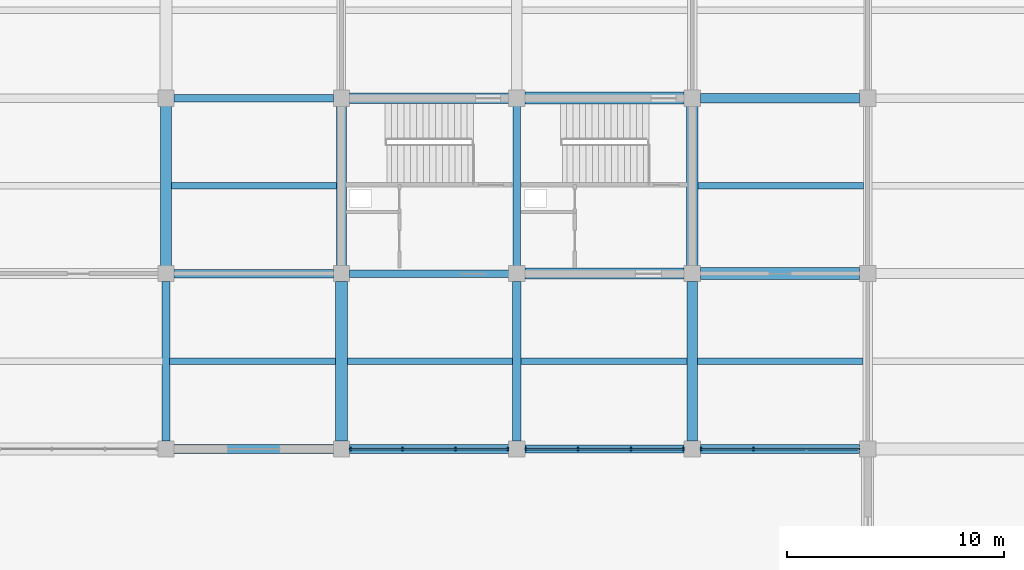
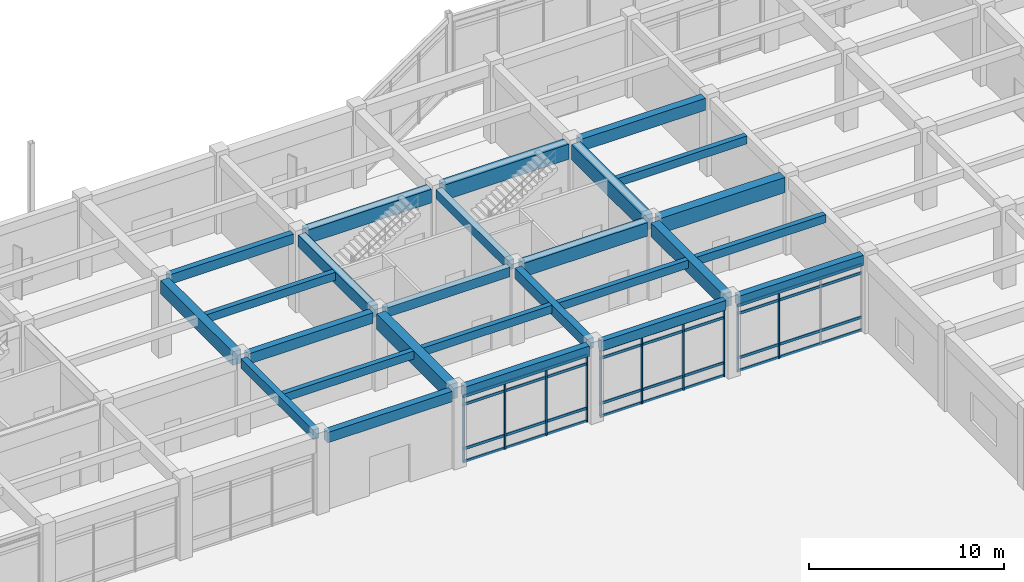
# One storey, part 36 of 99: 26 beams, 22 members, 3 elements without a shape of their own.
"""IFC4 building model written with IfcOpenShell, lengths in metres."""

import ifcopenshell
import ifcopenshell.guid

model = None  # the IFC model being written
_history = None  # IfcOwnerHistory: only IFC2X3 demands one
_inside = {}  # id of a spatial element -> (the spatial element, [elements in it])
_under = {}  # id of a project, library or spatial element -> (it, [spatial elements below it])
_declared = {}  # id of a project -> (the project, [libraries it declares])
_typed = {}  # id of a type object -> (the type object, [elements of that type])
_made_of = {}  # id of a material, layer set ... -> (it, [elements and type objects made of it])


def new_model(schema):
    """Start an empty IFC model of exactly this schema.

    Asked for "IFC4X3", IfcOpenShell would pick the latest addendum, in which some entities
    have other attributes; the version numbers below select the first issue.
    IFC2X3 requires an IfcOwnerHistory on every rooted entity: one is made here for all.
    """
    global model, _history
    if schema == "IFC4X3":
        model = ifcopenshell.file(schema_version=(4, 3, 0, 0))
    else:
        model = ifcopenshell.file(schema=schema)
    _inside.clear()
    _under.clear()
    _declared.clear()
    _typed.clear()
    _made_of.clear()
    _history = None
    if model.schema == "IFC2X3":
        org = make("IfcOrganization", Name="unknown")
        user = make(
            "IfcPersonAndOrganization",
            ThePerson=make("IfcPerson", FamilyName="unknown"),
            TheOrganization=org,
        )
        app = make(
            "IfcApplication",
            ApplicationDeveloper=org,
            Version="unknown",
            ApplicationFullName="unknown",
            ApplicationIdentifier="unknown",
        )
        _history = make(
            "IfcOwnerHistory",
            OwningUser=user,
            OwningApplication=app,
            ChangeAction="ADDED",
            CreationDate=0,
        )
    return model


def make(cls, **values):
    """One entity of the class cls with the attributes given. An attribute that is None is left unset."""
    return model.create_entity(
        cls, **{name: value for name, value in values.items() if value is not None}
    )


def rooted(cls, **values):
    """An entity with a GlobalId (a new one), such as an element, a storey or a relation."""
    return make(cls, GlobalId=ifcopenshell.guid.new(), OwnerHistory=_history, **values)


def si_unit(unit_type, name, prefix=None):
    """IfcSIUnit, for example si_unit("LENGTHUNIT", "METRE", prefix="MILLI")."""
    return make("IfcSIUnit", UnitType=unit_type, Prefix=prefix, Name=name)


def assignment(units):
    """IfcUnitAssignment: the units of a project."""
    return None if units is None else make("IfcUnitAssignment", Units=units)


def point(xyz):
    """IfcCartesianPoint."""
    return None if xyz is None else make("IfcCartesianPoint", Coordinates=xyz)


def direction(xyz):
    """IfcDirection."""
    return None if xyz is None else make("IfcDirection", DirectionRatios=xyz)


def frame(location, z_axis=None, x_axis=None):
    """IfcAxis2Placement3D, a coordinate frame: its origin and axes. An axis left out is left unset."""
    return make(
        "IfcAxis2Placement3D",
        Location=point(location),
        Axis=direction(z_axis),
        RefDirection=direction(x_axis),
    )


def frame_2d(location, x_axis=None):
    """IfcAxis2Placement2D, a coordinate frame in the plane: its origin and x axis."""
    return make(
        "IfcAxis2Placement2D", Location=point(location), RefDirection=direction(x_axis)
    )


def origin():
    """The frame at (0, 0, 0) with its axes left unset."""
    return frame((0.0, 0.0, 0.0))


def origin_2d():
    """The frame at (0, 0) in the plane with its x axis left unset."""
    return frame_2d((0.0, 0.0))


def place(relative_to, where):
    """IfcLocalPlacement: puts the frame where relative to a parent placement (None: the world)."""
    return make(
        "IfcLocalPlacement", PlacementRelTo=relative_to, RelativePlacement=where
    )


def context(
    kind, dimensions, precision=None, world=None, true_north=None, identifier=None
):
    """IfcGeometricRepresentationContext, for example the 3D "Model" context."""
    return make(
        "IfcGeometricRepresentationContext",
        ContextIdentifier=identifier,
        ContextType=kind,
        CoordinateSpaceDimension=dimensions,
        Precision=precision,
        WorldCoordinateSystem=world,
        TrueNorth=true_north,
    )


def subcontext(parent, identifier, kind, view, scale=None):
    """IfcGeometricRepresentationSubContext, for example "Body" below "Model"."""
    return make(
        "IfcGeometricRepresentationSubContext",
        ContextIdentifier=identifier,
        ContextType=kind,
        ParentContext=parent,
        TargetScale=scale,
        TargetView=view,
    )


def project(units=None, contexts=None):
    """IfcProject with its units and contexts."""
    return rooted(
        "IfcProject",
        Name="project",
        RepresentationContexts=contexts,
        UnitsInContext=assignment(units),
    )


def spatial(cls, under=None, at=None, **own):
    """A site, building, storey or space (cls), placed at a placement, below another one or the project."""
    s = rooted(cls, ObjectPlacement=at, **own)
    if under is not None:
        _under.setdefault(under.id(), (under, []))[1].append(s)
    return s


def profile(cls, at=None, kind="AREA", **sizes):
    """A parametric profile (cls). Its sizes go by their IFC names, for example OverallWidth=200.0."""
    return make(cls, ProfileType=kind, Position=at, **sizes)


def rectangle(**sizes):
    """IfcRectangleProfileDef."""
    return profile("IfcRectangleProfileDef", **sizes)


def extrude(swept, where, along, depth):
    """IfcExtrudedAreaSolid: the profile swept, set in the frame where, extruded along a direction by depth."""
    return make(
        "IfcExtrudedAreaSolid",
        SweptArea=swept,
        Position=where,
        ExtrudedDirection=direction(along),
        Depth=depth,
    )


def shape(context_of_items, identifier, shape_type, items):
    """IfcShapeRepresentation: the items that make up one representation, for example the "Body"."""
    return make(
        "IfcShapeRepresentation",
        ContextOfItems=context_of_items,
        RepresentationIdentifier=identifier,
        RepresentationType=shape_type,
        Items=items,
    )


def material(Name=None, Category=None):
    """IfcMaterial."""
    return make("IfcMaterial", Name=Name, Category=Category)


def layer(
    of_material, thickness, ventilated=None, Name=None, Category=None, Priority=None
):
    """IfcMaterialLayer: one layer of a wall or slab, of a material (None: an air gap)."""
    return make(
        "IfcMaterialLayer",
        Material=of_material,
        LayerThickness=thickness,
        IsVentilated=ventilated,
        Name=Name,
        Category=Category,
        Priority=Priority,
    )


def layer_set(layers, Name=None):
    """IfcMaterialLayerSet."""
    return make("IfcMaterialLayerSet", MaterialLayers=layers, LayerSetName=Name)


def material_profile(
    of_material, cross_section, Name=None, Category=None, Priority=None
):
    """IfcMaterialProfile: a cross section and its material."""
    return make(
        "IfcMaterialProfile",
        Name=Name,
        Material=of_material,
        Profile=cross_section,
        Priority=Priority,
        Category=Category,
    )


def profile_set(profiles, Name=None, composite=None):
    """IfcMaterialProfileSet."""
    return make(
        "IfcMaterialProfileSet",
        Name=Name,
        MaterialProfiles=profiles,
        CompositeProfile=composite,
    )


def made_of(thing, what):
    """Note that an element or type object is made of a material, layer set ...; save() writes the relation."""
    if what is not None:
        _made_of.setdefault(what.id(), (what, []))[1].append(thing)
    return thing


def type_object(cls, material=None, **own):
    """A type object (cls), such as IfcWallType, which elements share."""
    return made_of(rooted(cls, **own), material)


def element(
    cls,
    number,
    at=None,
    inside=None,
    cuts=None,
    type_object=None,
    material=None,
    context=None,
    identifier="Body",
    shape_type=None,
    held_by="IfcProductDefinitionShape",
    body=None,
    shapes=None,
    **own,
):
    """One element of the class cls, such as IfcWall. Its Tag is "e" and its number.

    at: its placement. inside: the storey or other place that contains it. cuts: it is an
    opening in that element (IfcRelVoidsElement). A single representation is given by context,
    identifier, shape_type and body (its items); several are given by shapes. held_by: the class
    of the entity that holds the representations. save() writes the other relations.
    """
    e = rooted(cls, Tag="e%d" % number, ObjectPlacement=at, **own)
    if body is not None:
        shapes = [shape(context, identifier, shape_type, body)]
    if shapes is not None:
        e.Representation = make(held_by, Representations=shapes)
    if inside is not None:
        _inside.setdefault(inside.id(), (inside, []))[1].append(e)
    if cuts is not None:
        rooted(
            "IfcRelVoidsElement", RelatingBuildingElement=cuts, RelatedOpeningElement=e
        )
    if type_object is not None:
        _typed.setdefault(type_object.id(), (type_object, []))[1].append(e)
    return made_of(e, material)


def aggregate(whole, parts):
    """IfcRelAggregates: a whole, such as a stair, and the parts it consists of."""
    return rooted("IfcRelAggregates", RelatingObject=whole, RelatedObjects=parts)


def save(model, path):
    """Write the relations noted so far, then the file.

    IfcRelAggregates (storeys below a building ...), IfcRelContainedInSpatialStructure (elements
    in a storey), IfcRelDefinesByType, IfcRelAssociatesMaterial and IfcRelDeclares: one each for
    every whole, place, type object, material and project.
    """
    for whole, parts in _under.values():
        aggregate(whole, parts)
    for where, things in _inside.values():
        rooted(
            "IfcRelContainedInSpatialStructure",
            RelatedElements=things,
            RelatingStructure=where,
        )
    for kind, things in _typed.values():
        rooted("IfcRelDefinesByType", RelatedObjects=things, RelatingType=kind)
    for what, things in _made_of.values():
        rooted("IfcRelAssociatesMaterial", RelatedObjects=things, RelatingMaterial=what)
    for by, libraries in _declared.values():
        rooted("IfcRelDeclares", RelatingContext=by, RelatedDefinitions=libraries)
    model.write(path)


model = new_model("IFC4")

# Units and contexts
model_context = context("Model", 3, precision=1e-05, world=origin(), true_north=direction((0.0, 1.0)))
body_context = subcontext(model_context, "Body", "Model", "MODEL_VIEW")
ifc_project = project(units=[si_unit("LENGTHUNIT", "METRE"), si_unit("AREAUNIT", "SQUARE_METRE"), si_unit("VOLUMEUNIT", "CUBIC_METRE"), si_unit("PLANEANGLEUNIT", "RADIAN"), si_unit("MASSUNIT", "GRAM", prefix="KILO")], contexts=[model_context])

# Site, building, storey
site_placement = place(None, origin())
site = spatial("IfcSite", under=ifc_project, at=site_placement, CompositionType="ELEMENT")
building_placement = place(site_placement, origin())
building = spatial("IfcBuilding", under=site, at=building_placement, Name="Vaudrelin Polytechnic", CompositionType="ELEMENT")
storey_placement = place(building_placement, origin())
storey = spatial("IfcBuildingStorey", under=building, at=storey_placement, Name="L00", CompositionType="ELEMENT", Elevation=0.0)

# Beams
ifc_material_1 = material(Name="Concrete 40 MPa", Category="concrete")
ifc_material_profile_1 = material_profile(ifc_material_1, rectangle(XDim=0.35009765625, YDim=0.60009765625, at=origin_2d()), Name="RC350x600")
ifc_profile_set_1 = profile_set([ifc_material_profile_1], Name="Concrete 40 MPa")
beam_type_1 = type_object("IfcBeamType", Name="BM-BM-RC3560", PredefinedType="BEAM", material=ifc_profile_set_1)
beam_1_placement = place(storey_placement, frame((97.199951171875, 97.56005859375, 4.52001953125), z_axis=(0.0, 1.0, 0.0), x_axis=(-1.0, 0.0, 0.0)))
element("IfcBeam", 1, at=beam_1_placement, inside=storey, type_object=beam_type_1, Name="L00 Y-beam 13-13", PredefinedType="BEAM", context=body_context, shape_type="SweptSolid", body=[
    extrude(rectangle(XDim=0.35009765625, YDim=0.60009765625, at=origin_2d()), origin(), (0.0, 0.0, 1.0), 7.3798828125),
])
beam_2_placement = place(storey_placement, frame((113.39990234375, 105.659912109375, 4.52001953125), z_axis=(0.0, 1.0, 0.0), x_axis=(-1.0, 0.0, 0.0)))
element("IfcBeam", 2, at=beam_2_placement, inside=storey, type_object=beam_type_1, Name="L00 Y-beam 15-14", PredefinedType="BEAM", context=body_context, shape_type="SweptSolid", body=[
    extrude(rectangle(XDim=0.35009765625, YDim=0.60009765625, at=origin_2d()), origin(), (0.0, 0.0, 1.0), 7.380126953125),
])
beam_3_placement = place(storey_placement, frame((97.571044921875, 113.39990234375, 4.52001953125), z_axis=(1.0, 0.0, 0.0), x_axis=(0.0, 1.0, 0.0)))
element("IfcBeam", 3, at=beam_3_placement, inside=storey, type_object=beam_type_1, Name="L00 X-beam 13-15", PredefinedType="BEAM", context=body_context, shape_type="SweptSolid", body=[
    extrude(rectangle(XDim=0.35009765625, YDim=0.60009765625, at=origin_2d()), origin(), (0.0, 0.0, 1.0), 7.35791015625),
])
beam_4_placement = place(storey_placement, frame((105.6708984375, 105.300048828125, 4.52001953125), z_axis=(1.0, 0.0, 0.0), x_axis=(0.0, 1.0, 0.0)))
element("IfcBeam", 4, at=beam_4_placement, inside=storey, type_object=beam_type_1, Name="L00 X-beam 14-14", PredefinedType="BEAM", context=body_context, shape_type="SweptSolid", body=[
    extrude(rectangle(XDim=0.35009765625, YDim=0.60009765625, at=origin_2d()), origin(), (0.0, 0.0, 1.0), 7.358154296875),
])
beam_5_placement = place(storey_placement, frame((113.77099609375, 97.199951171875, 4.52001953125), z_axis=(1.0, 0.0, 0.0), x_axis=(0.0, 1.0, 0.0)))
element("IfcBeam", 5, at=beam_5_placement, inside=storey, type_object=beam_type_1, Name="L00 X-beam 15-13", PredefinedType="BEAM", context=body_context, shape_type="SweptSolid", body=[
    extrude(rectangle(XDim=0.35009765625, YDim=0.60009765625, at=origin_2d()), origin(), (0.0, 0.0, 1.0), 7.35791015625),
])
ifc_material_profile_2 = material_profile(ifc_material_1, rectangle(XDim=0.39990234375, YDim=0.64990234375, at=origin_2d()), Name="RC400x650")
ifc_profile_set_2 = profile_set([ifc_material_profile_2], Name="Concrete 40 MPa")
beam_type_2 = type_object("IfcBeamType", Name="BM-BM-RC4065", PredefinedType="BEAM", material=ifc_profile_set_2)
beam_6_placement = place(storey_placement, frame((113.39990234375, 97.56005859375, 4.4951171875), z_axis=(0.0, 1.0, 0.0), x_axis=(-1.0, 0.0, 0.0)))
element("IfcBeam", 6, at=beam_6_placement, inside=storey, type_object=beam_type_2, Name="L00 Y-beam 15-13", PredefinedType="BEAM", context=body_context, shape_type="SweptSolid", body=[
    extrude(rectangle(XDim=0.39990234375, YDim=0.64990234375, at=origin_2d()), origin(), (0.0, 0.0, 1.0), 7.3798828125),
])
beam_7_placement = place(storey_placement, frame((97.571044921875, 105.300048828125, 4.4951171875), z_axis=(1.0, 0.0, 0.0), x_axis=(0.0, 1.0, 0.0)))
element("IfcBeam", 7, at=beam_7_placement, inside=storey, type_object=beam_type_2, Name="L00 X-beam 13-14", PredefinedType="BEAM", context=body_context, shape_type="SweptSolid", body=[
    extrude(rectangle(XDim=0.39990234375, YDim=0.64990234375, at=origin_2d()), origin(), (0.0, 0.0, 1.0), 7.35791015625),
])
beam_8_placement = place(storey_placement, frame((105.6708984375, 97.199951171875, 4.4951171875), z_axis=(1.0, 0.0, 0.0), x_axis=(0.0, 1.0, 0.0)))
element("IfcBeam", 8, at=beam_8_placement, inside=storey, type_object=beam_type_2, Name="L00 X-beam 14-13", PredefinedType="BEAM", context=body_context, shape_type="SweptSolid", body=[
    extrude(rectangle(XDim=0.39990234375, YDim=0.64990234375, at=origin_2d()), origin(), (0.0, 0.0, 1.0), 7.358154296875),
])
ifc_material_profile_3 = material_profile(ifc_material_1, rectangle(XDim=0.449951171875, YDim=0.75, at=origin_2d()), Name="RC450x750")
ifc_profile_set_3 = profile_set([ifc_material_profile_3], Name="Concrete 40 MPa")
beam_type_3 = type_object("IfcBeamType", Name="BM-BM-RC4575", PredefinedType="BEAM", material=ifc_profile_set_3)
beam_9_placement = place(storey_placement, frame((105.300048828125, 105.659912109375, 4.445068359375), z_axis=(0.0, 1.0, 0.0), x_axis=(-1.0, 0.0, 0.0)))
element("IfcBeam", 9, at=beam_9_placement, inside=storey, type_object=beam_type_3, Name="L00 Y-beam 14-14", PredefinedType="BEAM", context=body_context, shape_type="SweptSolid", body=[
    extrude(rectangle(XDim=0.449951171875, YDim=0.75, at=origin_2d()), origin(), (0.0, 0.0, 1.0), 7.380126953125),
])
beam_10_placement = place(storey_placement, frame((121.87109375, 113.39990234375, 4.445068359375), z_axis=(1.0, 0.0, 0.0), x_axis=(0.0, 1.0, 0.0)))
element("IfcBeam", 10, at=beam_10_placement, inside=storey, type_object=beam_type_3, Name="L00 X-beam 16-15", PredefinedType="BEAM", context=body_context, shape_type="SweptSolid", body=[
    extrude(rectangle(XDim=0.449951171875, YDim=0.75, at=origin_2d()), origin(), (0.0, 0.0, 1.0), 7.35791015625),
])
ifc_material_profile_4 = material_profile(ifc_material_1, rectangle(XDim=0.5, YDim=0.85009765625, at=origin_2d()), Name="RC500x850")
ifc_profile_set_4 = profile_set([ifc_material_profile_4], Name="Concrete 40 MPa")
beam_type_4 = type_object("IfcBeamType", Name="BM-BM-RC5085", PredefinedType="BEAM", material=ifc_profile_set_4)
beam_11_placement = place(storey_placement, frame((97.199951171875, 105.659912109375, 4.39501953125), z_axis=(0.0, 1.0, 0.0), x_axis=(-1.0, 0.0, 0.0)))
element("IfcBeam", 11, at=beam_11_placement, inside=storey, type_object=beam_type_4, Name="L00 Y-beam 13-14", PredefinedType="BEAM", context=body_context, shape_type="SweptSolid", body=[
    extrude(rectangle(XDim=0.5, YDim=0.85009765625, at=origin_2d()), origin(), (0.0, 0.0, 1.0), 7.380126953125),
])
beam_12_placement = place(storey_placement, frame((121.5, 97.56005859375, 4.39501953125), z_axis=(0.0, 1.0, 0.0), x_axis=(-1.0, 0.0, 0.0)))
element("IfcBeam", 12, at=beam_12_placement, inside=storey, type_object=beam_type_4, Name="L00 Y-beam 16-13", PredefinedType="BEAM", context=body_context, shape_type="SweptSolid", body=[
    extrude(rectangle(XDim=0.5, YDim=0.85009765625, at=origin_2d()), origin(), (0.0, 0.0, 1.0), 7.3798828125),
])
beam_13_placement = place(storey_placement, frame((105.6708984375, 113.39990234375, 4.39501953125), z_axis=(1.0, 0.0, 0.0), x_axis=(0.0, 1.0, 0.0)))
element("IfcBeam", 13, at=beam_13_placement, inside=storey, type_object=beam_type_4, Name="L00 X-beam 14-15", PredefinedType="BEAM", context=body_context, shape_type="SweptSolid", body=[
    extrude(rectangle(XDim=0.5, YDim=0.85009765625, at=origin_2d()), origin(), (0.0, 0.0, 1.0), 7.358154296875),
])
beam_14_placement = place(storey_placement, frame((113.77099609375, 105.300048828125, 4.39501953125), z_axis=(1.0, 0.0, 0.0), x_axis=(0.0, 1.0, 0.0)))
element("IfcBeam", 14, at=beam_14_placement, inside=storey, type_object=beam_type_4, Name="L00 X-beam 15-14", PredefinedType="BEAM", context=body_context, shape_type="SweptSolid", body=[
    extrude(rectangle(XDim=0.5, YDim=0.85009765625, at=origin_2d()), origin(), (0.0, 0.0, 1.0), 7.35791015625),
])
ifc_material_2 = material(Name="Concrete 50 MPa", Category="concrete")
ifc_material_profile_5 = material_profile(ifc_material_2, rectangle(XDim=0.550048828125, YDim=0.949951171875, at=origin_2d()), Name="RC550x950")
ifc_profile_set_5 = profile_set([ifc_material_profile_5], Name="Concrete 50 MPa")
beam_type_5 = type_object("IfcBeamType", Name="BM-BM-RC5595", PredefinedType="BEAM", material=ifc_profile_set_5)
beam_15_placement = place(storey_placement, frame((105.300048828125, 97.56005859375, 4.344970703125), z_axis=(0.0, 1.0, 0.0), x_axis=(-1.0, 0.0, 0.0)))
element("IfcBeam", 15, at=beam_15_placement, inside=storey, type_object=beam_type_5, Name="L00 Y-beam 14-13", PredefinedType="BEAM", context=body_context, shape_type="SweptSolid", body=[
    extrude(rectangle(XDim=0.550048828125, YDim=0.949951171875, at=origin_2d()), origin(), (0.0, 0.0, 1.0), 7.3798828125),
])
beam_16_placement = place(storey_placement, frame((121.5, 105.659912109375, 4.344970703125), z_axis=(0.0, 1.0, 0.0), x_axis=(-1.0, 0.0, 0.0)))
element("IfcBeam", 16, at=beam_16_placement, inside=storey, type_object=beam_type_5, Name="L00 Y-beam 16-14", PredefinedType="BEAM", context=body_context, shape_type="SweptSolid", body=[
    extrude(rectangle(XDim=0.550048828125, YDim=0.949951171875, at=origin_2d()), origin(), (0.0, 0.0, 1.0), 7.380126953125),
])
for number, where, z_axis, x_axis, name in (
    (17, (113.77099609375, 113.39990234375, 4.344970703125), (1.0, 0.0, 0.0), (0.0, 1.0, 0.0), "L00 X-beam 15-15"),
    (18, (121.87109375, 105.300048828125, 4.344970703125), (1.0, 0.0, 0.0), (0.0, 1.0, 0.0), "L00 X-beam 16-14"),
):
    element("IfcBeam", number, at=place(storey_placement, frame(where, z_axis=z_axis, x_axis=x_axis)), inside=storey, type_object=beam_type_5, Name=name, PredefinedType="BEAM", context=body_context, shape_type="SweptSolid", body=[
        extrude(rectangle(XDim=0.550048828125, YDim=0.949951171875, at=origin_2d()), origin(), (0.0, 0.0, 1.0), 7.35791015625),
    ])
ifc_material_profile_6 = material_profile(ifc_material_1, rectangle(XDim=0.300048828125, YDim=0.5, at=origin_2d()), Name="RC300x500")
ifc_profile_set_6 = profile_set([ifc_material_profile_6], Name="Concrete 40 MPa")
beam_type_6 = type_object("IfcBeamType", Name="BM-JS-RC3050", PredefinedType="JOIST", material=ifc_profile_set_6)
beam_17_placement = place(storey_placement, frame((97.37109375, 101.25, 4.570068359375), z_axis=(1.0, 0.0, 0.0), x_axis=(0.0, 1.0, 0.0)))
element("IfcBeam", 19, at=beam_17_placement, inside=storey, type_object=beam_type_6, Name="L00 floor joist 13-13", PredefinedType="JOIST", context=body_context, shape_type="SweptSolid", body=[
    extrude(rectangle(XDim=0.300048828125, YDim=0.5, at=origin_2d()), origin(), (0.0, 0.0, 1.0), 7.657958984375),
])
for number, where, z_axis, x_axis, name in (
    (20, (97.446044921875, 109.35009765625, 4.570068359375), (1.0, 0.0, 0.0), (0.0, 1.0, 0.0), "L00 floor joist 13-14"),
    (21, (105.571044921875, 101.25, 4.570068359375), (1.0, 0.0, 0.0), (0.0, 1.0, 0.0), "L00 floor joist 14-13"),
):
    element("IfcBeam", number, at=place(storey_placement, frame(where, z_axis=z_axis, x_axis=x_axis)), inside=storey, type_object=beam_type_6, Name=name, PredefinedType="JOIST", context=body_context, shape_type="SweptSolid", body=[
        extrude(rectangle(XDim=0.300048828125, YDim=0.5, at=origin_2d()), origin(), (0.0, 0.0, 1.0), 7.633056640625),
    ])
beam_18_placement = place(storey_placement, frame((113.595947265625, 101.25, 4.570068359375), z_axis=(1.0, 0.0, 0.0), x_axis=(0.0, 1.0, 0.0)))
element("IfcBeam", 22, at=beam_18_placement, inside=storey, type_object=beam_type_6, Name="L00 floor joist 15-13", PredefinedType="JOIST", context=body_context, shape_type="SweptSolid", body=[
    extrude(rectangle(XDim=0.300048828125, YDim=0.5, at=origin_2d()), origin(), (0.0, 0.0, 1.0), 7.657958984375),
])
beam_19_placement = place(storey_placement, frame((121.74609375, 101.25, 4.570068359375), z_axis=(1.0, 0.0, 0.0), x_axis=(0.0, 1.0, 0.0)))
element("IfcBeam", 23, at=beam_19_placement, inside=storey, type_object=beam_type_6, Name="L00 floor joist 16-13", PredefinedType="JOIST", context=body_context, shape_type="SweptSolid", body=[
    extrude(rectangle(XDim=0.300048828125, YDim=0.5, at=origin_2d()), origin(), (0.0, 0.0, 1.0), 7.6328125),
])
beam_20_placement = place(storey_placement, frame((121.77099609375, 109.35009765625, 4.570068359375), z_axis=(1.0, 0.0, 0.0), x_axis=(0.0, 1.0, 0.0)))
element("IfcBeam", 24, at=beam_20_placement, inside=storey, type_object=beam_type_6, Name="L00 floor joist 16-14", PredefinedType="JOIST", context=body_context, shape_type="SweptSolid", body=[
    extrude(rectangle(XDim=0.300048828125, YDim=0.5, at=origin_2d()), origin(), (0.0, 0.0, 1.0), 7.633056640625),
])
ifc_material_profile_7 = material_profile(ifc_material_1, rectangle(XDim=0.39990234375, YDim=0.64990234375, at=origin_2d()), Name="RC400x650")
ifc_profile_set_7 = profile_set([ifc_material_profile_7], Name="Concrete 40 MPa")
beam_type_7 = type_object("IfcBeamType", Name="BM-SP-RC4065", PredefinedType="SPANDREL", material=ifc_profile_set_7)
for number, where, z_axis, x_axis, name in (
    (25, (97.571044921875, 97.199951171875, 4.4951171875), (1.0, 0.0, 0.0), (0.0, 1.0, 0.0), "L00 X-beam 13-13"),
    (26, (121.87109375, 97.199951171875, 4.4951171875), (1.0, 0.0, 0.0), (0.0, 1.0, 0.0), "L00 X-beam 16-13"),
):
    element("IfcBeam", number, at=place(storey_placement, frame(where, z_axis=z_axis, x_axis=x_axis)), inside=storey, type_object=beam_type_7, Name=name, PredefinedType="SPANDREL", context=body_context, shape_type="SweptSolid", body=[
        extrude(rectangle(XDim=0.39990234375, YDim=0.64990234375, at=origin_2d()), origin(), (0.0, 0.0, 1.0), 7.35791015625),
    ])

# Curtain wall, members
ifc_material_3 = material(Name="Thermally broken anodised aluminium AA 6063-T6 and low-e triple glazing", Category="aluminium")
ifc_layer = layer(ifc_material_3, 0.199951171875)
ifc_layer_set = layer_set([ifc_layer], Name="Thermally broken anodised aluminium AA 6063-T6 and low-e triple glazing")
curtain_wall_type = type_object("IfcCurtainWallType", Name="CW-CW-LIB", PredefinedType="USERDEFINED", material=ifc_layer_set)
curtain_wall_1_placement = place(storey_placement, origin())
curtain_wall_1 = element("IfcCurtainWall", 27, at=curtain_wall_1_placement, inside=storey, type_object=curtain_wall_type, Name="Curtain wall L00 CT_N_09", ObjectType="CURTAIN WALL", PredefinedType="USERDEFINED")
ifc_material_4 = material(Name="Anodised aluminium AA 6063-T6", Category="aluminium")
ifc_material_profile_8 = material_profile(ifc_material_4, rectangle(XDim=0.06494140625, YDim=0.179931640625, at=origin_2d()), Name="CWM-65x180")
ifc_profile_set_8 = profile_set([ifc_material_profile_8], Name="Anodised aluminium AA 6063-T6")
member_type_1 = type_object("IfcMemberType", Name="MEM-CWM-180", PredefinedType="MULLION", material=ifc_profile_set_8)
member_1_placement = place(storey_placement, frame((105.712890625, 97.199951171875, 0.0), z_axis=(0.0, 0.0, 1.0), x_axis=(1.0, 0.0, 0.0)))
member_1 = element("IfcMember", 28, at=member_1_placement, type_object=member_type_1, Name="CT_N_09 mullion 1", PredefinedType="MULLION", context=body_context, shape_type="SweptSolid", body=[
    extrude(rectangle(XDim=0.06494140625, YDim=0.179931640625, at=origin_2d()), origin(), (0.0, 0.0, 1.0), 4.172119140625),
])
member_2_placement = place(storey_placement, frame((108.124267578125, 97.199951171875, 0.0), z_axis=(0.0, 0.0, 1.0), x_axis=(1.0, 0.0, 0.0)))
member_2 = element("IfcMember", 29, at=member_2_placement, type_object=member_type_1, Name="CT_N_09 mullion 2", PredefinedType="MULLION", context=body_context, shape_type="SweptSolid", body=[
    extrude(rectangle(XDim=0.06494140625, YDim=0.179931640625, at=origin_2d()), origin(), (0.0, 0.0, 1.0), 4.172119140625),
])
member_3_placement = place(storey_placement, frame((110.57568359375, 97.199951171875, 0.0), z_axis=(0.0, 0.0, 1.0), x_axis=(1.0, 0.0, 0.0)))
member_3 = element("IfcMember", 30, at=member_3_placement, type_object=member_type_1, Name="CT_N_09 mullion 3", PredefinedType="MULLION", context=body_context, shape_type="SweptSolid", body=[
    extrude(rectangle(XDim=0.06494140625, YDim=0.179931640625, at=origin_2d()), origin(), (0.0, 0.0, 1.0), 4.172119140625),
])
member_4_placement = place(storey_placement, frame((112.987060546875, 97.199951171875, 0.0), z_axis=(0.0, 0.0, 1.0), x_axis=(1.0, 0.0, 0.0)))
member_4 = element("IfcMember", 31, at=member_4_placement, type_object=member_type_1, Name="CT_N_09 mullion 4", PredefinedType="MULLION", context=body_context, shape_type="SweptSolid", body=[
    extrude(rectangle(XDim=0.06494140625, YDim=0.179931640625, at=origin_2d()), origin(), (0.0, 0.0, 1.0), 4.172119140625),
])

curtain_wall_2_placement = place(storey_placement, origin())
curtain_wall_2 = element("IfcCurtainWall", 32, at=curtain_wall_2_placement, inside=storey, type_object=curtain_wall_type, Name="Curtain wall L00 CT_N_10", ObjectType="CURTAIN WALL", PredefinedType="USERDEFINED")
member_5_placement = place(storey_placement, frame((113.81298828125, 97.199951171875, 0.0), z_axis=(0.0, 0.0, 1.0), x_axis=(1.0, 0.0, 0.0)))
member_5 = element("IfcMember", 33, at=member_5_placement, type_object=member_type_1, Name="CT_N_10 mullion 1", PredefinedType="MULLION", context=body_context, shape_type="SweptSolid", body=[
    extrude(rectangle(XDim=0.06494140625, YDim=0.179931640625, at=origin_2d()), origin(), (0.0, 0.0, 1.0), 4.221923828125),
])
member_6_placement = place(storey_placement, frame((116.224365234375, 97.199951171875, 0.0), z_axis=(0.0, 0.0, 1.0), x_axis=(1.0, 0.0, 0.0)))
member_6 = element("IfcMember", 34, at=member_6_placement, type_object=member_type_1, Name="CT_N_10 mullion 2", PredefinedType="MULLION", context=body_context, shape_type="SweptSolid", body=[
    extrude(rectangle(XDim=0.06494140625, YDim=0.179931640625, at=origin_2d()), origin(), (0.0, 0.0, 1.0), 4.221923828125),
])
member_7_placement = place(storey_placement, frame((118.67578125, 97.199951171875, 0.0), z_axis=(0.0, 0.0, 1.0), x_axis=(1.0, 0.0, 0.0)))
member_7 = element("IfcMember", 35, at=member_7_placement, type_object=member_type_1, Name="CT_N_10 mullion 3", PredefinedType="MULLION", context=body_context, shape_type="SweptSolid", body=[
    extrude(rectangle(XDim=0.06494140625, YDim=0.179931640625, at=origin_2d()), origin(), (0.0, 0.0, 1.0), 4.221923828125),
])
member_8_placement = place(storey_placement, frame((121.0869140625, 97.199951171875, 0.0), z_axis=(0.0, 0.0, 1.0), x_axis=(1.0, 0.0, 0.0)))
member_8 = element("IfcMember", 36, at=member_8_placement, type_object=member_type_1, Name="CT_N_10 mullion 4", PredefinedType="MULLION", context=body_context, shape_type="SweptSolid", body=[
    extrude(rectangle(XDim=0.06494140625, YDim=0.179931640625, at=origin_2d()), origin(), (0.0, 0.0, 1.0), 4.221923828125),
])

curtain_wall_3_placement = place(storey_placement, origin())
curtain_wall_3 = element("IfcCurtainWall", 37, at=curtain_wall_3_placement, inside=storey, type_object=curtain_wall_type, Name="Curtain wall L00 CT_N_11", ObjectType="CURTAIN WALL", PredefinedType="USERDEFINED")
member_9_placement = place(storey_placement, frame((121.9130859375, 97.199951171875, 0.0), z_axis=(0.0, 0.0, 1.0), x_axis=(1.0, 0.0, 0.0)))
member_9 = element("IfcMember", 38, at=member_9_placement, type_object=member_type_1, Name="CT_N_11 mullion 1", PredefinedType="MULLION", context=body_context, shape_type="SweptSolid", body=[
    extrude(rectangle(XDim=0.06494140625, YDim=0.179931640625, at=origin_2d()), origin(), (0.0, 0.0, 1.0), 4.172119140625),
])
member_10_placement = place(storey_placement, frame((124.32421875, 97.199951171875, 0.0), z_axis=(0.0, 0.0, 1.0), x_axis=(1.0, 0.0, 0.0)))
member_10 = element("IfcMember", 39, at=member_10_placement, type_object=member_type_1, Name="CT_N_11 mullion 2", PredefinedType="MULLION", context=body_context, shape_type="SweptSolid", body=[
    extrude(rectangle(XDim=0.06494140625, YDim=0.179931640625, at=origin_2d()), origin(), (0.0, 0.0, 1.0), 4.172119140625),
])

# Member
ifc_material_profile_9 = material_profile(ifc_material_4, rectangle(XDim=0.074951171875, YDim=0.1650390625, at=origin_2d()), Name="CWT-75x165")
ifc_profile_set_9 = profile_set([ifc_material_profile_9], Name="Anodised aluminium AA 6063-T6")
member_type_2 = type_object("IfcMemberType", Name="MEM-CWT-165", PredefinedType="USERDEFINED", material=ifc_profile_set_9)
member_11_placement = place(storey_placement, frame((105.673095703125, 97.199951171875, 0.050048828125), z_axis=(1.0, 0.0, 0.0), x_axis=(0.0, 1.0, 0.0)))
member_11 = element("IfcMember", 40, at=member_11_placement, type_object=member_type_2, Name="CT_N_09 transom 1", ObjectType="TRANSOM", PredefinedType="USERDEFINED", context=body_context, shape_type="SweptSolid", body=[
    extrude(rectangle(XDim=0.074951171875, YDim=0.1650390625, at=origin_2d()), origin(), (0.0, 0.0, 1.0), 7.35400390625),
])

member_12_placement = place(storey_placement, frame((105.673095703125, 97.199951171875, 0.85009765625), z_axis=(1.0, 0.0, 0.0), x_axis=(0.0, 1.0, 0.0)))
member_12 = element("IfcMember", 41, at=member_12_placement, type_object=member_type_2, Name="CT_N_09 transom 2", ObjectType="TRANSOM", PredefinedType="USERDEFINED", context=body_context, shape_type="SweptSolid", body=[
    extrude(rectangle(XDim=0.074951171875, YDim=0.1650390625, at=origin_2d()), origin(), (0.0, 0.0, 1.0), 7.35400390625),
])

member_13_placement = place(storey_placement, frame((105.673095703125, 97.199951171875, 3.6220703125), z_axis=(1.0, 0.0, 0.0), x_axis=(0.0, 1.0, 0.0)))
member_13 = element("IfcMember", 42, at=member_13_placement, type_object=member_type_2, Name="CT_N_09 transom 3", ObjectType="TRANSOM", PredefinedType="USERDEFINED", context=body_context, shape_type="SweptSolid", body=[
    extrude(rectangle(XDim=0.074951171875, YDim=0.1650390625, at=origin_2d()), origin(), (0.0, 0.0, 1.0), 7.35400390625),
])

member_14_placement = place(storey_placement, frame((105.673095703125, 97.199951171875, 4.1220703125), z_axis=(1.0, 0.0, 0.0), x_axis=(0.0, 1.0, 0.0)))
member_14 = element("IfcMember", 43, at=member_14_placement, type_object=member_type_2, Name="CT_N_09 transom 4", ObjectType="TRANSOM", PredefinedType="USERDEFINED", context=body_context, shape_type="SweptSolid", body=[
    extrude(rectangle(XDim=0.074951171875, YDim=0.1650390625, at=origin_2d()), origin(), (0.0, 0.0, 1.0), 7.35400390625),
])

aggregate(curtain_wall_1, [member_1, member_2, member_3, member_4, member_11, member_12, member_13, member_14])

member_15_placement = place(storey_placement, frame((113.77294921875, 97.199951171875, 0.050048828125), z_axis=(1.0, 0.0, 0.0), x_axis=(0.0, 1.0, 0.0)))
member_15 = element("IfcMember", 44, at=member_15_placement, type_object=member_type_2, Name="CT_N_10 transom 1", ObjectType="TRANSOM", PredefinedType="USERDEFINED", context=body_context, shape_type="SweptSolid", body=[
    extrude(rectangle(XDim=0.074951171875, YDim=0.1650390625, at=origin_2d()), origin(), (0.0, 0.0, 1.0), 7.35400390625),
])

member_16_placement = place(storey_placement, frame((113.77294921875, 97.199951171875, 0.85009765625), z_axis=(1.0, 0.0, 0.0), x_axis=(0.0, 1.0, 0.0)))
member_16 = element("IfcMember", 45, at=member_16_placement, type_object=member_type_2, Name="CT_N_10 transom 2", ObjectType="TRANSOM", PredefinedType="USERDEFINED", context=body_context, shape_type="SweptSolid", body=[
    extrude(rectangle(XDim=0.074951171875, YDim=0.1650390625, at=origin_2d()), origin(), (0.0, 0.0, 1.0), 7.35400390625),
])

member_17_placement = place(storey_placement, frame((113.77294921875, 97.199951171875, 3.672119140625), z_axis=(1.0, 0.0, 0.0), x_axis=(0.0, 1.0, 0.0)))
member_17 = element("IfcMember", 46, at=member_17_placement, type_object=member_type_2, Name="CT_N_10 transom 3", ObjectType="TRANSOM", PredefinedType="USERDEFINED", context=body_context, shape_type="SweptSolid", body=[
    extrude(rectangle(XDim=0.074951171875, YDim=0.1650390625, at=origin_2d()), origin(), (0.0, 0.0, 1.0), 7.35400390625),
])

member_18_placement = place(storey_placement, frame((113.77294921875, 97.199951171875, 4.172119140625), z_axis=(1.0, 0.0, 0.0), x_axis=(0.0, 1.0, 0.0)))
member_18 = element("IfcMember", 47, at=member_18_placement, type_object=member_type_2, Name="CT_N_10 transom 4", ObjectType="TRANSOM", PredefinedType="USERDEFINED", context=body_context, shape_type="SweptSolid", body=[
    extrude(rectangle(XDim=0.074951171875, YDim=0.1650390625, at=origin_2d()), origin(), (0.0, 0.0, 1.0), 7.35400390625),
])

aggregate(curtain_wall_2, [member_5, member_6, member_7, member_8, member_15, member_16, member_17, member_18])

member_19_placement = place(storey_placement, frame((121.873046875, 97.199951171875, 0.050048828125), z_axis=(1.0, 0.0, 0.0), x_axis=(0.0, 1.0, 0.0)))
member_19 = element("IfcMember", 48, at=member_19_placement, type_object=member_type_2, Name="CT_N_11 transom 1", ObjectType="TRANSOM", PredefinedType="USERDEFINED", context=body_context, shape_type="SweptSolid", body=[
    extrude(rectangle(XDim=0.074951171875, YDim=0.1650390625, at=origin_2d()), origin(), (0.0, 0.0, 1.0), 7.35400390625),
])

member_20_placement = place(storey_placement, frame((121.873046875, 97.199951171875, 0.85009765625), z_axis=(1.0, 0.0, 0.0), x_axis=(0.0, 1.0, 0.0)))
member_20 = element("IfcMember", 49, at=member_20_placement, type_object=member_type_2, Name="CT_N_11 transom 2", ObjectType="TRANSOM", PredefinedType="USERDEFINED", context=body_context, shape_type="SweptSolid", body=[
    extrude(rectangle(XDim=0.074951171875, YDim=0.1650390625, at=origin_2d()), origin(), (0.0, 0.0, 1.0), 7.35400390625),
])

member_21_placement = place(storey_placement, frame((121.873046875, 97.199951171875, 3.6220703125), z_axis=(1.0, 0.0, 0.0), x_axis=(0.0, 1.0, 0.0)))
member_21 = element("IfcMember", 50, at=member_21_placement, type_object=member_type_2, Name="CT_N_11 transom 3", ObjectType="TRANSOM", PredefinedType="USERDEFINED", context=body_context, shape_type="SweptSolid", body=[
    extrude(rectangle(XDim=0.074951171875, YDim=0.1650390625, at=origin_2d()), origin(), (0.0, 0.0, 1.0), 7.35400390625),
])

member_22_placement = place(storey_placement, frame((121.873046875, 97.199951171875, 4.1220703125), z_axis=(1.0, 0.0, 0.0), x_axis=(0.0, 1.0, 0.0)))
member_22 = element("IfcMember", 51, at=member_22_placement, type_object=member_type_2, Name="CT_N_11 transom 4", ObjectType="TRANSOM", PredefinedType="USERDEFINED", context=body_context, shape_type="SweptSolid", body=[
    extrude(rectangle(XDim=0.074951171875, YDim=0.1650390625, at=origin_2d()), origin(), (0.0, 0.0, 1.0), 7.35400390625),
])

aggregate(curtain_wall_3, [member_9, member_10, member_19, member_20, member_21, member_22])

save(model, "model.ifc")
